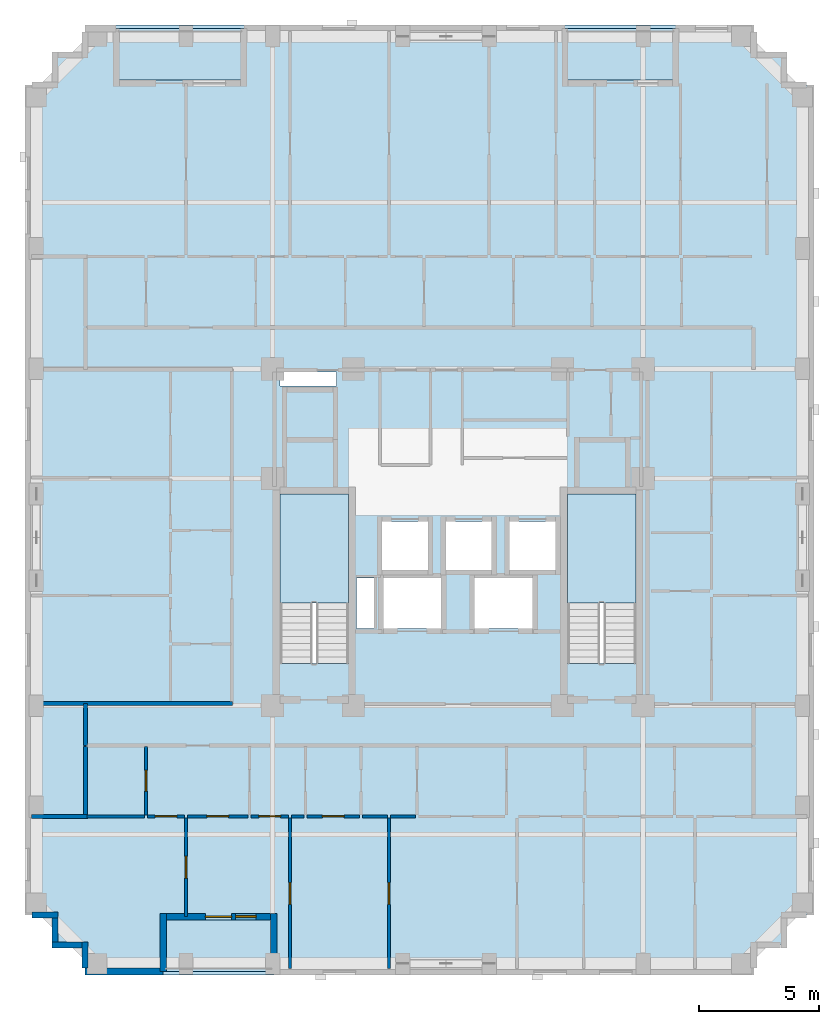
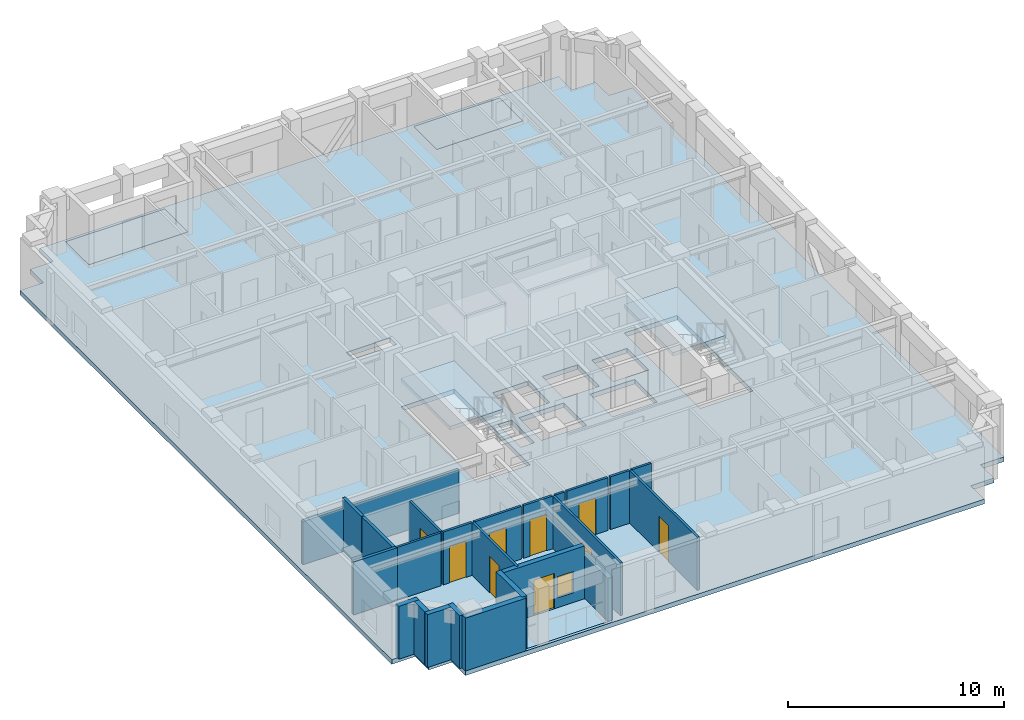
# One storey, part 2 of 11: 24 walls, 9 doors, 6 slabs, 1 window, 10 openings, 2 elements without a shape of their own.
"""IFC4 building model written with IfcOpenShell, lengths in metres."""

import ifcopenshell
import ifcopenshell.guid

model = None  # the IFC model being written
_history = None  # IfcOwnerHistory: only IFC2X3 demands one
_inside = {}  # id of a spatial element -> (the spatial element, [elements in it])
_under = {}  # id of a project, library or spatial element -> (it, [spatial elements below it])
_declared = {}  # id of a project -> (the project, [libraries it declares])
_typed = {}  # id of a type object -> (the type object, [elements of that type])
_made_of = {}  # id of a material, layer set ... -> (it, [elements and type objects made of it])


def new_model(schema):
    """Start an empty IFC model of exactly this schema.

    Asked for "IFC4X3", IfcOpenShell would pick the latest addendum, in which some entities
    have other attributes; the version numbers below select the first issue.
    IFC2X3 requires an IfcOwnerHistory on every rooted entity: one is made here for all.
    """
    global model, _history
    if schema == "IFC4X3":
        model = ifcopenshell.file(schema_version=(4, 3, 0, 0))
    else:
        model = ifcopenshell.file(schema=schema)
    _inside.clear()
    _under.clear()
    _declared.clear()
    _typed.clear()
    _made_of.clear()
    _history = None
    if model.schema == "IFC2X3":
        org = make("IfcOrganization", Name="unknown")
        user = make(
            "IfcPersonAndOrganization",
            ThePerson=make("IfcPerson", FamilyName="unknown"),
            TheOrganization=org,
        )
        app = make(
            "IfcApplication",
            ApplicationDeveloper=org,
            Version="unknown",
            ApplicationFullName="unknown",
            ApplicationIdentifier="unknown",
        )
        _history = make(
            "IfcOwnerHistory",
            OwningUser=user,
            OwningApplication=app,
            ChangeAction="ADDED",
            CreationDate=0,
        )
    return model


def make(cls, **values):
    """One entity of the class cls with the attributes given. An attribute that is None is left unset."""
    return model.create_entity(
        cls, **{name: value for name, value in values.items() if value is not None}
    )


def rooted(cls, **values):
    """An entity with a GlobalId (a new one), such as an element, a storey or a relation."""
    return make(cls, GlobalId=ifcopenshell.guid.new(), OwnerHistory=_history, **values)


def si_unit(unit_type, name, prefix=None):
    """IfcSIUnit, for example si_unit("LENGTHUNIT", "METRE", prefix="MILLI")."""
    return make("IfcSIUnit", UnitType=unit_type, Prefix=prefix, Name=name)


def derived_unit(unit_type, elements):
    """IfcDerivedUnit: a product of units, each with its exponent."""
    return make(
        "IfcDerivedUnit",
        Elements=[
            make("IfcDerivedUnitElement", Unit=unit, Exponent=power)
            for unit, power in elements
        ],
        UnitType=unit_type,
    )


def assignment(units):
    """IfcUnitAssignment: the units of a project."""
    return None if units is None else make("IfcUnitAssignment", Units=units)


def point(xyz):
    """IfcCartesianPoint."""
    return None if xyz is None else make("IfcCartesianPoint", Coordinates=xyz)


def direction(xyz):
    """IfcDirection."""
    return None if xyz is None else make("IfcDirection", DirectionRatios=xyz)


def frame(location, z_axis=None, x_axis=None):
    """IfcAxis2Placement3D, a coordinate frame: its origin and axes. An axis left out is left unset."""
    return make(
        "IfcAxis2Placement3D",
        Location=point(location),
        Axis=direction(z_axis),
        RefDirection=direction(x_axis),
    )


def frame_2d(location, x_axis=None):
    """IfcAxis2Placement2D, a coordinate frame in the plane: its origin and x axis."""
    return make(
        "IfcAxis2Placement2D", Location=point(location), RefDirection=direction(x_axis)
    )


def origin():
    """The frame at (0, 0, 0) with its axes left unset."""
    return frame((0.0, 0.0, 0.0))


def place(relative_to, where):
    """IfcLocalPlacement: puts the frame where relative to a parent placement (None: the world)."""
    return make(
        "IfcLocalPlacement", PlacementRelTo=relative_to, RelativePlacement=where
    )


def context(
    kind, dimensions, precision=None, world=None, true_north=None, identifier=None
):
    """IfcGeometricRepresentationContext, for example the 3D "Model" context."""
    return make(
        "IfcGeometricRepresentationContext",
        ContextIdentifier=identifier,
        ContextType=kind,
        CoordinateSpaceDimension=dimensions,
        Precision=precision,
        WorldCoordinateSystem=world,
        TrueNorth=true_north,
    )


def subcontext(parent, identifier, kind, view, scale=None):
    """IfcGeometricRepresentationSubContext, for example "Body" below "Model"."""
    return make(
        "IfcGeometricRepresentationSubContext",
        ContextIdentifier=identifier,
        ContextType=kind,
        ParentContext=parent,
        TargetScale=scale,
        TargetView=view,
    )


def project(units=None, contexts=None):
    """IfcProject with its units and contexts."""
    return rooted(
        "IfcProject",
        Name="project",
        RepresentationContexts=contexts,
        UnitsInContext=assignment(units),
    )


def spatial(cls, under=None, at=None, **own):
    """A site, building, storey or space (cls), placed at a placement, below another one or the project."""
    s = rooted(cls, ObjectPlacement=at, **own)
    if under is not None:
        _under.setdefault(under.id(), (under, []))[1].append(s)
    return s


def polyline(points):
    """IfcPolyline through the points."""
    return make("IfcPolyline", Points=[point(p) for p in points])


def profile(cls, at=None, kind="AREA", **sizes):
    """A parametric profile (cls). Its sizes go by their IFC names, for example OverallWidth=200.0."""
    return make(cls, ProfileType=kind, Position=at, **sizes)


def rectangle(**sizes):
    """IfcRectangleProfileDef."""
    return profile("IfcRectangleProfileDef", **sizes)


def outline(outer, holes=None, kind="AREA"):
    """IfcArbitraryClosedProfileDef: a profile drawn as a closed curve; with holes, ...WithVoids."""
    if holes is None:
        return make("IfcArbitraryClosedProfileDef", ProfileType=kind, OuterCurve=outer)
    return make(
        "IfcArbitraryProfileDefWithVoids",
        ProfileType=kind,
        OuterCurve=outer,
        InnerCurves=holes,
    )


def extrude(swept, where, along, depth):
    """IfcExtrudedAreaSolid: the profile swept, set in the frame where, extruded along a direction by depth."""
    return make(
        "IfcExtrudedAreaSolid",
        SweptArea=swept,
        Position=where,
        ExtrudedDirection=direction(along),
        Depth=depth,
    )


def shape(context_of_items, identifier, shape_type, items):
    """IfcShapeRepresentation: the items that make up one representation, for example the "Body"."""
    return make(
        "IfcShapeRepresentation",
        ContextOfItems=context_of_items,
        RepresentationIdentifier=identifier,
        RepresentationType=shape_type,
        Items=items,
    )


def material(Name=None, Category=None):
    """IfcMaterial."""
    return make("IfcMaterial", Name=Name, Category=Category)


def layer(
    of_material, thickness, ventilated=None, Name=None, Category=None, Priority=None
):
    """IfcMaterialLayer: one layer of a wall or slab, of a material (None: an air gap)."""
    return make(
        "IfcMaterialLayer",
        Material=of_material,
        LayerThickness=thickness,
        IsVentilated=ventilated,
        Name=Name,
        Category=Category,
        Priority=Priority,
    )


def layer_set(layers, Name=None):
    """IfcMaterialLayerSet."""
    return make("IfcMaterialLayerSet", MaterialLayers=layers, LayerSetName=Name)


def made_of(thing, what):
    """Note that an element or type object is made of a material, layer set ...; save() writes the relation."""
    if what is not None:
        _made_of.setdefault(what.id(), (what, []))[1].append(thing)
    return thing


def type_object(cls, material=None, **own):
    """A type object (cls), such as IfcWallType, which elements share."""
    return made_of(rooted(cls, **own), material)


def element(
    cls,
    number,
    at=None,
    inside=None,
    cuts=None,
    type_object=None,
    material=None,
    context=None,
    identifier="Body",
    shape_type=None,
    held_by="IfcProductDefinitionShape",
    body=None,
    shapes=None,
    **own,
):
    """One element of the class cls, such as IfcWall. Its Tag is "e" and its number.

    at: its placement. inside: the storey or other place that contains it. cuts: it is an
    opening in that element (IfcRelVoidsElement). A single representation is given by context,
    identifier, shape_type and body (its items); several are given by shapes. held_by: the class
    of the entity that holds the representations. save() writes the other relations.
    """
    e = rooted(cls, Tag="e%d" % number, ObjectPlacement=at, **own)
    if body is not None:
        shapes = [shape(context, identifier, shape_type, body)]
    if shapes is not None:
        e.Representation = make(held_by, Representations=shapes)
    if inside is not None:
        _inside.setdefault(inside.id(), (inside, []))[1].append(e)
    if cuts is not None:
        rooted(
            "IfcRelVoidsElement", RelatingBuildingElement=cuts, RelatedOpeningElement=e
        )
    if type_object is not None:
        _typed.setdefault(type_object.id(), (type_object, []))[1].append(e)
    return made_of(e, material)


def fill(opening, filler):
    """IfcRelFillsElement: the door or window that sits in an opening."""
    return rooted(
        "IfcRelFillsElement",
        RelatingOpeningElement=opening,
        RelatedBuildingElement=filler,
    )


def aggregate(whole, parts):
    """IfcRelAggregates: a whole, such as a stair, and the parts it consists of."""
    return rooted("IfcRelAggregates", RelatingObject=whole, RelatedObjects=parts)


def save(model, path):
    """Write the relations noted so far, then the file.

    IfcRelAggregates (storeys below a building ...), IfcRelContainedInSpatialStructure (elements
    in a storey), IfcRelDefinesByType, IfcRelAssociatesMaterial and IfcRelDeclares: one each for
    every whole, place, type object, material and project.
    """
    for whole, parts in _under.values():
        aggregate(whole, parts)
    for where, things in _inside.values():
        rooted(
            "IfcRelContainedInSpatialStructure",
            RelatedElements=things,
            RelatingStructure=where,
        )
    for kind, things in _typed.values():
        rooted("IfcRelDefinesByType", RelatedObjects=things, RelatingType=kind)
    for what, things in _made_of.values():
        rooted("IfcRelAssociatesMaterial", RelatedObjects=things, RelatingMaterial=what)
    for by, libraries in _declared.values():
        rooted("IfcRelDeclares", RelatingContext=by, RelatedDefinitions=libraries)
    model.write(path)


model = new_model("IFC4")

# Units and contexts
model_context = context("Model", 3, precision=1e-05, world=origin(), true_north=direction((0.0, 1.0)))
body_context = subcontext(model_context, "Body", "Model", "MODEL_VIEW")
ifc_project = project(units=[si_unit("LENGTHUNIT", "METRE"), si_unit("AREAUNIT", "SQUARE_METRE"), si_unit("VOLUMEUNIT", "CUBIC_METRE"), si_unit("PLANEANGLEUNIT", "RADIAN"), si_unit("MASSUNIT", "GRAM", prefix="KILO"), derived_unit("THERMALTRANSMITTANCEUNIT", [(si_unit("MASSUNIT", "GRAM", prefix="KILO"), 1), (si_unit("TIMEUNIT", "SECOND"), -3), (si_unit("THERMODYNAMICTEMPERATUREUNIT", "KELVIN"), -1)])], contexts=[model_context])

# Site, building, storey
site_placement = place(None, origin())
site = spatial("IfcSite", under=ifc_project, at=site_placement, CompositionType="ELEMENT")
building_placement = place(site_placement, origin())
building = spatial("IfcBuilding", under=site, at=building_placement, Name="Korrvale Station Residences", CompositionType="ELEMENT")
storey_placement = place(building_placement, frame((0.0, 0.0, 150.39990234375)))
storey = spatial("IfcBuildingStorey", under=building, at=storey_placement, Name="L43", CompositionType="ELEMENT", Elevation=150.39990234375)

# Slabs
ifc_material_1 = material(Name="Concrete C50/60", Category="concrete")
ifc_layer_1 = layer(ifc_material_1, 0.219970703125, Name="Concrete C50/60")
ifc_layer_set_1 = layer_set([ifc_layer_1], Name="Concrete C50/60")
slab_type_1 = type_object("IfcSlabType", Name="SLB-BAL-220", PredefinedType="FLOOR", material=ifc_layer_set_1)
slab_1_placement = place(storey_placement, frame((0.0, 0.0, -0.219970703125)))
element("IfcSlab", 1, at=slab_1_placement, inside=storey, type_object=slab_type_1, Name="L43 Recessed Loggia Balcony Slab BAL-L43-S1", PredefinedType="FLOOR", context=body_context, shape_type="SweptSolid", body=[
    extrude(outline(polyline([(13.25, 3.949951171875), (17.85009765625, 3.949951171875), (17.85009765625, 6.10009765625), (13.25, 6.10009765625), (13.25, 3.949951171875)])), origin(), (0.0, 0.0, 1.0), 0.219970703125),
])
slab_2_placement = place(storey_placement, frame((0.0, 0.0, -0.219970703125)))
element("IfcSlab", 2, at=slab_2_placement, inside=storey, type_object=slab_type_1, Name="L43 Recessed Loggia Balcony Slab BAL-L43-N1", PredefinedType="FLOOR", context=body_context, shape_type="SweptSolid", body=[
    extrude(outline(polyline([(29.949951171875, 41.0), (34.550048828125, 41.0), (34.550048828125, 43.14990234375), (29.949951171875, 43.14990234375), (29.949951171875, 41.0)])), origin(), (0.0, 0.0, 1.0), 0.219970703125),
])
slab_3_placement = place(storey_placement, frame((0.0, 0.0, -0.219970703125)))
element("IfcSlab", 3, at=slab_3_placement, inside=storey, type_object=slab_type_1, Name="L43 Recessed Loggia Balcony Slab BAL-L43-N2", PredefinedType="FLOOR", context=body_context, shape_type="SweptSolid", body=[
    extrude(outline(polyline([(11.300048828125, 41.0), (16.60009765625, 41.0), (16.60009765625, 43.14990234375), (11.300048828125, 43.14990234375), (11.300048828125, 41.0)])), origin(), (0.0, 0.0, 1.0), 0.219970703125),
])
ifc_layer_2 = layer(ifc_material_1, 0.260009765625, Name="Concrete C50/60")
ifc_layer_set_2 = layer_set([ifc_layer_2], Name="Concrete C50/60")
slab_type_2 = type_object("IfcSlabType", Name="SLB-FLR-260", PredefinedType="FLOOR", material=ifc_layer_set_2)
slab_4_placement = place(storey_placement, frame((0.0, 0.0, -0.260009765625)))
element("IfcSlab", 4, at=slab_4_placement, inside=storey, type_object=slab_type_2, Name="L43 Suspended Structural Floor Slab", PredefinedType="FLOOR", context=body_context, shape_type="SweptSolid", body=[
    extrude(outline(polyline([(10.0, 3.800048828125), (37.800048828125, 3.800048828125), (37.800048828125, 5.050048828125), (39.050048828125, 5.050048828125), (39.050048828125, 6.300048828125), (40.300048828125, 6.300048828125), (40.300048828125, 40.800048828125), (39.050048828125, 40.800048828125), (39.050048828125, 42.050048828125), (37.800048828125, 42.050048828125), (37.800048828125, 43.300048828125), (10.0, 43.300048828125), (10.0, 42.050048828125), (8.75, 42.050048828125), (8.75, 40.800048828125), (7.5, 40.800048828125), (7.5, 6.300048828125), (8.75, 6.300048828125), (8.75, 5.050048828125), (10.0, 5.050048828125), (10.0, 3.800048828125)]), holes=[polyline([(20.949951171875, 16.751953125), (20.949951171875, 23.800048828125), (18.10009765625, 23.800048828125), (18.10009765625, 16.751953125), (20.949951171875, 16.751953125)]), polyline([(32.89990234375, 16.751953125), (32.89990234375, 23.800048828125), (30.050048828125, 23.800048828125), (30.050048828125, 16.751953125), (32.89990234375, 16.751953125)]), polyline([(22.35009765625, 20.64990234375), (24.25, 20.64990234375), (24.25, 22.64990234375), (22.35009765625, 22.64990234375), (22.35009765625, 20.64990234375)]), polyline([(25.0, 20.64990234375), (26.89990234375, 20.64990234375), (26.89990234375, 22.64990234375), (25.0, 22.64990234375), (25.0, 20.64990234375)]), polyline([(27.64990234375, 20.64990234375), (29.550048828125, 20.64990234375), (29.550048828125, 22.64990234375), (27.64990234375, 22.64990234375), (27.64990234375, 20.64990234375)]), polyline([(22.39990234375, 18.199951171875), (24.800048828125, 18.199951171875), (24.800048828125, 20.300048828125), (22.39990234375, 20.300048828125), (22.39990234375, 18.199951171875)]), polyline([(26.199951171875, 18.199951171875), (28.60009765625, 18.199951171875), (28.60009765625, 20.300048828125), (26.199951171875, 20.300048828125), (26.199951171875, 18.199951171875)]), polyline([(18.10009765625, 28.280029296875), (20.449951171875, 28.280029296875), (20.449951171875, 28.8798828125), (18.10009765625, 28.8798828125), (18.10009765625, 28.280029296875)]), polyline([(21.280029296875, 18.199951171875), (22.02001953125, 18.199951171875), (22.02001953125, 20.300048828125), (21.280029296875, 20.300048828125), (21.280029296875, 18.199951171875)]), polyline([(13.25, 3.949951171875), (17.85009765625, 3.949951171875), (17.85009765625, 6.10009765625), (13.25, 6.10009765625), (13.25, 3.949951171875)]), polyline([(29.949951171875, 41.0), (34.550048828125, 41.0), (34.550048828125, 43.14990234375), (29.949951171875, 43.14990234375), (29.949951171875, 41.0)]), polyline([(11.300048828125, 41.0), (16.60009765625, 41.0), (16.60009765625, 43.14990234375), (11.300048828125, 43.14990234375), (11.300048828125, 41.0)])]), origin(), (0.0, 0.0, 1.0), 0.260009765625),
])

# Stair, slab
stair_type = type_object("IfcStairType", Name="STR-DL-1350-20R-1625", PredefinedType="HALF_TURN_STAIR", material=ifc_material_1)
stair_1_placement = place(storey_placement, origin())
stair_1 = element("IfcStair", 5, at=stair_1_placement, inside=storey, type_object=stair_type, Name="L43 Exit Stair 1", PredefinedType="HALF_TURN_STAIR")
ifc_layer_3 = layer(ifc_material_1, 0.199951171875, Name="Concrete C50/60")
ifc_layer_set_3 = layer_set([ifc_layer_3], Name="Concrete C50/60")
slab_type_3 = type_object("IfcSlabType", Name="SLB-LND-200", PredefinedType="LANDING", material=ifc_layer_set_3)
slab_5_placement = place(storey_placement, frame((0.0, 0.0, 1.425048828125)))
slab_5 = element("IfcSlab", 6, at=slab_5_placement, type_object=slab_type_3, Name="ST-1 landing 1", PredefinedType="LANDING", context=body_context, shape_type="SweptSolid", body=[
    extrude(outline(polyline([(20.949951171875, 19.27001953125), (20.949951171875, 23.800048828125), (18.10009765625, 23.800048828125), (18.10009765625, 19.27001953125), (20.949951171875, 19.27001953125)])), origin(), (0.0, 0.0, 1.0), 0.199951171875),
])
aggregate(stair_1, [slab_5])

stair_2_placement = place(storey_placement, origin())
stair_2 = element("IfcStair", 7, at=stair_2_placement, inside=storey, type_object=stair_type, Name="L43 Exit Stair 2", PredefinedType="HALF_TURN_STAIR")
slab_6_placement = place(storey_placement, frame((0.0, 0.0, 1.425048828125)))
slab_6 = element("IfcSlab", 8, at=slab_6_placement, type_object=slab_type_3, Name="ST-2 landing 1", PredefinedType="LANDING", context=body_context, shape_type="SweptSolid", body=[
    extrude(outline(polyline([(32.89990234375, 19.27001953125), (32.89990234375, 23.800048828125), (30.050048828125, 23.800048828125), (30.050048828125, 19.27001953125), (32.89990234375, 19.27001953125)])), origin(), (0.0, 0.0, 1.0), 0.199951171875),
])
aggregate(stair_2, [slab_6])

# Wall
ifc_material_2 = material(Name="Precast concrete C45/55", Category="concrete")
ifc_layer_4 = layer(ifc_material_2, 0.260009765625, Name="Precast concrete C45/55")
ifc_layer_set_4 = layer_set([ifc_layer_4], Name="Precast concrete C45/55")
wall_type_1 = type_object("IfcWallType", Name="WAL-EXT-LOG260", PredefinedType="SOLIDWALL", material=ifc_layer_set_4)
wall_1_placement = place(storey_placement, frame((17.85009765625, 3.9599609375, 0.0), z_axis=(0.0, 0.0, 1.0), x_axis=(0.0, 1.0, 0.0)))
element("IfcWall", 9, at=wall_1_placement, inside=storey, type_object=wall_type_1, Name="L43 Recessed Loggia Wall BAL-L43-S1-L", PredefinedType="SOLIDWALL", context=body_context, shape_type="SweptSolid", body=[
    extrude(rectangle(XDim=2.400146484375, YDim=0.260009765625, at=frame_2d((1.2001953125, 0.0))), origin(), (0.0, 0.0, 1.0), 2.442138671875),
])

# Wall, openings, door, window
wall_2_placement = place(storey_placement, frame((17.716064453125, 6.22998046875, 0.0), z_axis=(0.0, 0.0, 1.0), x_axis=(-1.0, 0.0, 0.0)))
wall_2 = element("IfcWall", 10, at=wall_2_placement, inside=storey, type_object=wall_type_1, Name="L43 Recessed Loggia Wall BAL-L43-S1-B", PredefinedType="SOLIDWALL", context=body_context, shape_type="SweptSolid", body=[
    extrude(rectangle(XDim=4.33203125, YDim=0.260009765625, at=frame_2d((2.166015625, 0.0))), origin(), (0.0, 0.0, 1.0), 2.989990234375),
])
opening_1_placement = place(wall_2_placement, frame((1.615966796875, 0.0, 0.0)))
opening_1 = element("IfcOpeningElement", 11, at=opening_1_placement, cuts=wall_2, Name="Opening BD-01", PredefinedType="OPENING", context=body_context, shape_type="SweptSolid", body=[
    extrude(rectangle(XDim=1.10009765625, YDim=2.0, at=frame_2d((0.550048828125, 1.0))), frame((0.0, 0.14013671875, 0.0), z_axis=(0.0, -1.0, 0.0), x_axis=(1.0, 0.0, 0.0)), (0.0, 0.0, 1.0), 0.280029296875),
])
opening_2_placement = place(wall_2_placement, frame((0.60595703125, 0.0, 0.550048828125)))
opening_2 = element("IfcOpeningElement", 12, at=opening_2_placement, cuts=wall_2, Name="Opening W-11", PredefinedType="OPENING", context=body_context, shape_type="SweptSolid", body=[
    extrude(rectangle(XDim=0.85009765625, YDim=1.199951171875, at=frame_2d((0.425048828125, 0.60009765625))), frame((0.0, 0.14013671875, 0.0), z_axis=(0.0, -1.0, 0.0), x_axis=(1.0, 0.0, 0.0)), (0.0, 0.0, 1.0), 0.280029296875),
])
ifc_material_3 = material(Name="Exterior thermally broken aluminium glazed balcony door", Category="aluminium")
door_type_1 = type_object("IfcDoorType", Name="DR-EXT-BAL", OperationType="NOTDEFINED", PredefinedType="DOOR", material=ifc_material_3)
door_1_placement = place(opening_1_placement, origin())
door_1 = element("IfcDoor", 13, at=door_1_placement, inside=storey, type_object=door_type_1, Name="L43 Loggia Balcony Door BAL-L43-S1", OperationType="SINGLE_SWING_RIGHT", OverallHeight=2.0, OverallWidth=1.10009765625, PredefinedType="DOOR", context=body_context, shape_type="SweptSolid", body=[
    extrude(rectangle(XDim=1.10009765625, YDim=2.0, at=frame_2d((0.550048828125, 1.0))), frame((0.0, 0.02490234375, 0.0), z_axis=(0.0, -1.0, 0.0), x_axis=(1.0, 0.0, 0.0)), (0.0, 0.0, 1.0), 0.050048828125),
])
fill(opening_1, door_1)
ifc_material_4 = material(Name="Thermally broken aluminium frame with triple low-e glazing", Category="aluminium")
window_type = type_object("IfcWindowType", Name="WIN-W11", PartitioningType="SINGLE_PANEL", PredefinedType="WINDOW", material=ifc_material_4)
window_placement = place(opening_2_placement, origin())
window = element("IfcWindow", 14, at=window_placement, inside=storey, type_object=window_type, Name="L43 Punched Window 02", OverallHeight=1.199951171875, OverallWidth=0.85009765625, PartitioningType="SINGLE_PANEL", PredefinedType="WINDOW", context=body_context, shape_type="SweptSolid", body=[
    extrude(rectangle(XDim=0.85009765625, YDim=1.199951171875, at=frame_2d((0.425048828125, 0.60009765625))), frame((0.0, 0.030029296875, 0.0), z_axis=(0.0, -1.0, 0.0), x_axis=(1.0, 0.0, 0.0)), (0.0, 0.0, 1.0), 0.06005859375),
])
fill(opening_2, window)

# Walls
wall_3_placement = place(storey_placement, frame((13.25, 6.360107421875, 0.0), z_axis=(0.0, 0.0, 1.0), x_axis=(0.0, -1.0, 0.0)))
element("IfcWall", 15, at=wall_3_placement, inside=storey, type_object=wall_type_1, Name="L43 Recessed Loggia Wall BAL-L43-S1-R", PredefinedType="SOLIDWALL", context=body_context, shape_type="SweptSolid", body=[
    extrude(rectangle(XDim=2.400146484375, YDim=0.260009765625, at=frame_2d((1.2001953125, 0.0))), origin(), (0.0, 0.0, 1.0), 2.989990234375),
])
wall_4_placement = place(storey_placement, frame((10.0, 4.10205078125, 0.0), z_axis=(0.0, 0.0, 1.0), x_axis=(0.0, 1.0, 0.0)))
element("IfcWall", 16, at=wall_4_placement, inside=storey, type_object=wall_type_1, Name="L43 Serrated Corner Precast Step SW-1", PredefinedType="SOLIDWALL", context=body_context, shape_type="SweptSolid", body=[
    extrude(rectangle(XDim=1.077880859375, YDim=0.260009765625, at=frame_2d((0.5390625, 0.0))), origin(), (0.0, 0.0, 1.0), 2.989990234375),
])
wall_5_placement = place(storey_placement, frame((9.867919921875, 5.050048828125, 0.0), z_axis=(0.0, 0.0, 1.0), x_axis=(-1.0, 0.0, 0.0)))
element("IfcWall", 17, at=wall_5_placement, inside=storey, type_object=wall_type_1, Name="L43 Serrated Corner Precast Step SW-2", PredefinedType="SOLIDWALL", context=body_context, shape_type="SweptSolid", body=[
    extrude(rectangle(XDim=1.247802734375, YDim=0.260009765625, at=frame_2d((0.6240234375, 0.0))), origin(), (0.0, 0.0, 1.0), 2.989990234375),
])
wall_6_placement = place(storey_placement, frame((8.75, 5.181884765625, 0.0), z_axis=(0.0, 0.0, 1.0), x_axis=(0.0, 1.0, 0.0)))
element("IfcWall", 18, at=wall_6_placement, inside=storey, type_object=wall_type_1, Name="L43 Serrated Corner Precast Step SW-3", PredefinedType="SOLIDWALL", context=body_context, shape_type="SweptSolid", body=[
    extrude(rectangle(XDim=0.986083984375, YDim=0.260009765625, at=frame_2d((0.4931640625, 0.0))), origin(), (0.0, 0.0, 1.0), 2.989990234375),
])
wall_7_placement = place(storey_placement, frame((8.8798828125, 6.300048828125, 0.0), z_axis=(0.0, 0.0, 1.0), x_axis=(-1.0, 0.0, 0.0)))
element("IfcWall", 19, at=wall_7_placement, inside=storey, type_object=wall_type_1, Name="L43 Serrated Corner Precast Step SW-4", PredefinedType="SOLIDWALL", context=body_context, shape_type="SweptSolid", body=[
    extrude(rectangle(XDim=1.077880859375, YDim=0.260009765625, at=frame_2d((0.5390625, 0.0))), origin(), (0.0, 0.0, 1.0), 2.989990234375),
])
ifc_layer_5 = layer(ifc_material_2, 0.300048828125, Name="Precast concrete C45/55")
ifc_layer_set_5 = layer_set([ifc_layer_5], Name="Precast concrete C45/55")
wall_type_2 = type_object("IfcWallType", Name="WAL-EXT-PC300", PredefinedType="SOLIDWALL", material=ifc_layer_set_5)
wall_8_placement = place(storey_placement, frame((13.25, 3.949951171875, 0.0), z_axis=(0.0, 0.0, 1.0), x_axis=(-1.0, 0.0, 0.0)))
element("IfcWall", 20, at=wall_8_placement, inside=storey, type_object=wall_type_2, Name="L43 South Exterior Precast Wall 2", PredefinedType="SOLIDWALL", context=body_context, shape_type="SweptSolid", body=[
    extrude(rectangle(XDim=3.25, YDim=0.300048828125, at=frame_2d((1.625, 0.0))), origin(), (0.0, 0.0, 1.0), 2.989990234375),
])

# Wall, opening, door
ifc_material_5 = material(Name="Acoustic steel-stud gypsum board partition", Category="steel")
ifc_layer_6 = layer(ifc_material_5, 0.1201171875, Name="Acoustic steel-stud gypsum board partition")
ifc_layer_set_6 = layer_set([ifc_layer_6], Name="Acoustic steel-stud gypsum board partition")
wall_type_3 = type_object("IfcWallType", Name="WAL-PART-125", PredefinedType="PARTITIONING", material=ifc_layer_set_6)
wall_9_placement = place(storey_placement, frame((12.5400390625, 10.4599609375, 0.0), z_axis=(0.0, 0.0, 1.0), x_axis=(0.0, 1.0, 0.0)))
wall_9 = element("IfcWall", 21, at=wall_9_placement, inside=storey, type_object=wall_type_3, Name="L43 Suite Partition U01-V01", PredefinedType="PARTITIONING", context=body_context, shape_type="SweptSolid", body=[
    extrude(rectangle(XDim=2.85009765625, YDim=0.1201171875, at=frame_2d((1.425048828125, 0.0))), origin(), (0.0, 0.0, 1.0), 2.989990234375),
])
opening_3_placement = place(wall_9_placement, frame((0.9951171875, 0.0, 0.0)))
opening_3 = element("IfcOpeningElement", 22, at=opening_3_placement, cuts=wall_9, Name="Opening DB-860", PredefinedType="OPENING", context=body_context, shape_type="SweptSolid", body=[
    extrude(rectangle(XDim=0.860107421875, YDim=2.050048828125, at=frame_2d((0.43017578125, 1.02490234375))), frame((0.0, 0.070068359375, 0.0), z_axis=(0.0, -1.0, 0.0), x_axis=(1.0, 0.0, 0.0)), (0.0, 0.0, 1.0), 0.14013671875),
])
ifc_material_6 = material(Name="Moisture-resistant solid-core bathroom door", Category="timber")
door_type_2 = type_object("IfcDoorType", Name="DR-BATH-860", OperationType="NOTDEFINED", PredefinedType="DOOR", material=ifc_material_6)
door_2_placement = place(opening_3_placement, origin())
door_2 = element("IfcDoor", 23, at=door_2_placement, inside=storey, type_object=door_type_2, Name="L43 Apartment 2BR L43-U01 Bathroom Door", OperationType="SINGLE_SWING_RIGHT", OverallHeight=2.050048828125, OverallWidth=0.860107421875, PredefinedType="DOOR", context=body_context, shape_type="SweptSolid", body=[
    extrude(rectangle(XDim=0.860107421875, YDim=2.050048828125, at=frame_2d((0.43017578125, 1.02490234375))), frame((0.0, 0.02490234375, 0.0), z_axis=(0.0, -1.0, 0.0), x_axis=(1.0, 0.0, 0.0)), (0.0, 0.0, 1.0), 0.050048828125),
])
fill(opening_3, door_2)

# Wall
wall_10_placement = place(storey_placement, frame((10.080078125, 10.39990234375, 0.0), z_axis=(0.0, 0.0, 1.0), x_axis=(1.0, 0.0, 0.0)))
element("IfcWall", 24, at=wall_10_placement, inside=storey, type_object=wall_type_3, Name="L43 Suite Partition U01-H09", PredefinedType="PARTITIONING", context=body_context, shape_type="SweptSolid", body=[
    extrude(rectangle(XDim=2.39990234375, YDim=0.1201171875, at=frame_2d((1.199951171875, 0.0))), origin(), (0.0, 0.0, 1.0), 2.989990234375),
])

# Wall, opening, door
wall_11_placement = place(storey_placement, frame((12.60009765625, 10.39990234375, 0.0), z_axis=(0.0, 0.0, 1.0), x_axis=(1.0, 0.0, 0.0)))
wall_11 = element("IfcWall", 25, at=wall_11_placement, inside=storey, type_object=wall_type_3, Name="L43 Suite Partition U01-H19", PredefinedType="PARTITIONING", context=body_context, shape_type="SweptSolid", body=[
    extrude(rectangle(XDim=1.539794921875, YDim=0.1201171875, at=frame_2d((0.77001953125, 0.0))), origin(), (0.0, 0.0, 1.0), 2.989990234375),
])
opening_4_placement = place(wall_11_placement, frame((0.320068359375, 0.0, 0.0)))
opening_4 = element("IfcOpeningElement", 26, at=opening_4_placement, cuts=wall_11, Name="Opening DI-900", PredefinedType="OPENING", context=body_context, shape_type="SweptSolid", body=[
    extrude(rectangle(XDim=0.89990234375, YDim=2.050048828125, at=frame_2d((0.449951171875, 1.02490234375))), frame((0.0, 0.070068359375, 0.0), z_axis=(0.0, -1.0, 0.0), x_axis=(1.0, 0.0, 0.0)), (0.0, 0.0, 1.0), 0.14013671875),
])
ifc_material_7 = material(Name="Painted solid-core timber interior room door", Category="wood")
door_type_3 = type_object("IfcDoorType", Name="DR-INT-900", OperationType="NOTDEFINED", PredefinedType="DOOR", material=ifc_material_7)
door_3_placement = place(opening_4_placement, origin())
door_3 = element("IfcDoor", 27, at=door_3_placement, inside=storey, type_object=door_type_3, Name="L43 Apartment 2BR L43-U01 Kitchen Door", OperationType="SINGLE_SWING_RIGHT", OverallHeight=2.050048828125, OverallWidth=0.89990234375, PredefinedType="DOOR", context=body_context, shape_type="SweptSolid", body=[
    extrude(rectangle(XDim=0.89990234375, YDim=2.050048828125, at=frame_2d((0.449951171875, 1.02490234375))), frame((0.0, 0.02490234375, 0.0), z_axis=(0.0, -1.0, 0.0), x_axis=(1.0, 0.0, 0.0)), (0.0, 0.0, 1.0), 0.050048828125),
])
fill(opening_4, door_3)

wall_12_placement = place(storey_placement, frame((14.260009765625, 10.39990234375, 0.0), z_axis=(0.0, 0.0, 1.0), x_axis=(1.0, 0.0, 0.0)))
wall_12 = element("IfcWall", 28, at=wall_12_placement, inside=storey, type_object=wall_type_3, Name="L43 Suite Partition U01-H110", PredefinedType="PARTITIONING", context=body_context, shape_type="SweptSolid", body=[
    extrude(rectangle(XDim=2.52001953125, YDim=0.1201171875, at=frame_2d((1.260009765625, 0.0))), origin(), (0.0, 0.0, 1.0), 2.989990234375),
])
opening_5_placement = place(wall_12_placement, frame((0.81005859375, 0.0, 0.0)))
opening_5 = element("IfcOpeningElement", 29, at=opening_5_placement, cuts=wall_12, Name="Opening DI-900", PredefinedType="OPENING", context=body_context, shape_type="SweptSolid", body=[
    extrude(rectangle(XDim=0.89990234375, YDim=2.050048828125, at=frame_2d((0.449951171875, 1.02490234375))), frame((0.0, 0.070068359375, 0.0), z_axis=(0.0, -1.0, 0.0), x_axis=(1.0, 0.0, 0.0)), (0.0, 0.0, 1.0), 0.14013671875),
])
door_4_placement = place(opening_5_placement, origin())
door_4 = element("IfcDoor", 30, at=door_4_placement, inside=storey, type_object=door_type_3, Name="L43 Apartment 2BR L43-U01 Kitchen Door", OperationType="SINGLE_SWING_LEFT", OverallHeight=2.050048828125, OverallWidth=0.89990234375, PredefinedType="DOOR", context=body_context, shape_type="SweptSolid", body=[
    extrude(rectangle(XDim=0.89990234375, YDim=2.050048828125, at=frame_2d((0.449951171875, 1.02490234375))), frame((0.0, 0.02490234375, 0.0), z_axis=(0.0, -1.0, 0.0), x_axis=(1.0, 0.0, 0.0)), (0.0, 0.0, 1.0), 0.050048828125),
])
fill(opening_5, door_4)

wall_13_placement = place(storey_placement, frame((16.89990234375, 10.39990234375, 0.0), z_axis=(0.0, 0.0, 1.0), x_axis=(1.0, 0.0, 0.0)))
wall_13 = element("IfcWall", 31, at=wall_13_placement, inside=storey, type_object=wall_type_3, Name="L43 Suite Partition U01-H210", PredefinedType="PARTITIONING", context=body_context, shape_type="SweptSolid", body=[
    extrude(rectangle(XDim=1.56005859375, YDim=0.1201171875, at=frame_2d((0.780029296875, 0.0))), origin(), (0.0, 0.0, 1.0), 2.989990234375),
])
opening_6_placement = place(wall_13_placement, frame((0.330078125, 0.0, 0.0)))
opening_6 = element("IfcOpeningElement", 32, at=opening_6_placement, cuts=wall_13, Name="Opening DI-900", PredefinedType="OPENING", context=body_context, shape_type="SweptSolid", body=[
    extrude(rectangle(XDim=0.89990234375, YDim=2.050048828125, at=frame_2d((0.449951171875, 1.02490234375))), frame((0.0, 0.070068359375, 0.0), z_axis=(0.0, -1.0, 0.0), x_axis=(1.0, 0.0, 0.0)), (0.0, 0.0, 1.0), 0.14013671875),
])
door_5_placement = place(opening_6_placement, origin())
door_5 = element("IfcDoor", 33, at=door_5_placement, inside=storey, type_object=door_type_3, Name="L43 Apartment 2BR L43-U01 Wardrobe Storage Room Door", OperationType="SINGLE_SWING_LEFT", OverallHeight=2.050048828125, OverallWidth=0.89990234375, PredefinedType="DOOR", context=body_context, shape_type="SweptSolid", body=[
    extrude(rectangle(XDim=0.89990234375, YDim=2.050048828125, at=frame_2d((0.449951171875, 1.02490234375))), frame((0.0, 0.02490234375, 0.0), z_axis=(0.0, -1.0, 0.0), x_axis=(1.0, 0.0, 0.0)), (0.0, 0.0, 1.0), 0.050048828125),
])
fill(opening_6, door_5)

# Wall
wall_14_placement = place(storey_placement, frame((18.580078125, 10.39990234375, 0.0), z_axis=(0.0, 0.0, 1.0), x_axis=(1.0, 0.0, 0.0)))
element("IfcWall", 34, at=wall_14_placement, inside=storey, type_object=wall_type_3, Name="L43 Suite Partition U01-H211", PredefinedType="PARTITIONING", context=body_context, shape_type="SweptSolid", body=[
    extrude(rectangle(XDim=0.52001953125, YDim=0.1201171875, at=frame_2d((0.260009765625, 0.0))), origin(), (0.0, 0.0, 1.0), 2.989990234375),
])

# Wall, opening, door
wall_15_placement = place(storey_placement, frame((19.219970703125, 10.39990234375, 0.0), z_axis=(0.0, 0.0, 1.0), x_axis=(1.0, 0.0, 0.0)))
wall_15 = element("IfcWall", 35, at=wall_15_placement, inside=storey, type_object=wall_type_3, Name="L43 Suite Partition U01-H311", PredefinedType="PARTITIONING", context=body_context, shape_type="SweptSolid", body=[
    extrude(rectangle(XDim=2.199951171875, YDim=0.1201171875, at=frame_2d((1.10009765625, 0.0))), origin(), (0.0, 0.0, 1.0), 2.989990234375),
])
opening_7_placement = place(wall_15_placement, frame((0.64990234375, 0.0, 0.0)))
opening_7 = element("IfcOpeningElement", 36, at=opening_7_placement, cuts=wall_15, Name="Opening DI-900", PredefinedType="OPENING", context=body_context, shape_type="SweptSolid", body=[
    extrude(rectangle(XDim=0.89990234375, YDim=2.050048828125, at=frame_2d((0.449951171875, 1.02490234375))), frame((0.0, 0.070068359375, 0.0), z_axis=(0.0, -1.0, 0.0), x_axis=(1.0, 0.0, 0.0)), (0.0, 0.0, 1.0), 0.14013671875),
])
door_6_placement = place(opening_7_placement, origin())
door_6 = element("IfcDoor", 37, at=door_6_placement, inside=storey, type_object=door_type_3, Name="L43 Apartment 2BR L43-U01 Wardrobe Storage Room Door", OperationType="SINGLE_SWING_LEFT", OverallHeight=2.050048828125, OverallWidth=0.89990234375, PredefinedType="DOOR", context=body_context, shape_type="SweptSolid", body=[
    extrude(rectangle(XDim=0.89990234375, YDim=2.050048828125, at=frame_2d((0.449951171875, 1.02490234375))), frame((0.0, 0.02490234375, 0.0), z_axis=(0.0, -1.0, 0.0), x_axis=(1.0, 0.0, 0.0)), (0.0, 0.0, 1.0), 0.050048828125),
])
fill(opening_7, door_6)

# Walls
for number, where, z_axis, x_axis, name in (
    (38, (21.5400390625, 10.39990234375, 0.0), (0.0, 0.0, 1.0), (1.0, 0.0, 0.0), "L43 Suite Partition U01-H411"),
    (39, (22.699951171875, 10.39990234375, 0.0), (0.0, 0.0, 1.0), (1.0, 0.0, 0.0), "L43 Suite Partition U01-H412"),
):
    element("IfcWall", number, at=place(storey_placement, frame(where, z_axis=z_axis, x_axis=x_axis)), inside=storey, type_object=wall_type_3, Name=name, PredefinedType="PARTITIONING", context=body_context, shape_type="SweptSolid", body=[
        extrude(rectangle(XDim=1.0400390625, YDim=0.1201171875, at=frame_2d((0.52001953125, 0.0))), origin(), (0.0, 0.0, 1.0), 2.989990234375),
    ])

# Wall, opening, door
wall_16_placement = place(storey_placement, frame((14.199951171875, 6.22998046875, 0.0), z_axis=(0.0, 0.0, 1.0), x_axis=(0.0, 1.0, 0.0)))
wall_16 = element("IfcWall", 40, at=wall_16_placement, inside=storey, type_object=wall_type_3, Name="L43 Suite Partition U01-V910", PredefinedType="PARTITIONING", context=body_context, shape_type="SweptSolid", body=[
    extrude(rectangle(XDim=4.110107421875, YDim=0.1201171875, at=frame_2d((2.05517578125, 0.0))), origin(), (0.0, 0.0, 1.0), 2.989990234375),
])
opening_8_placement = place(wall_16_placement, frame((1.60498046875, 0.0, 0.0)))
opening_8 = element("IfcOpeningElement", 41, at=opening_8_placement, cuts=wall_16, Name="Opening DI-900", PredefinedType="OPENING", context=body_context, shape_type="SweptSolid", body=[
    extrude(rectangle(XDim=0.89990234375, YDim=2.050048828125, at=frame_2d((0.449951171875, 1.02490234375))), frame((0.0, 0.070068359375, 0.0), z_axis=(0.0, -1.0, 0.0), x_axis=(1.0, 0.0, 0.0)), (0.0, 0.0, 1.0), 0.14013671875),
])
door_7_placement = place(opening_8_placement, origin())
door_7 = element("IfcDoor", 42, at=door_7_placement, inside=storey, type_object=door_type_3, Name="L43 Apartment 2BR L43-U01 Living and Dining Room Door", OperationType="SINGLE_SWING_RIGHT", OverallHeight=2.050048828125, OverallWidth=0.89990234375, PredefinedType="DOOR", context=body_context, shape_type="SweptSolid", body=[
    extrude(rectangle(XDim=0.89990234375, YDim=2.050048828125, at=frame_2d((0.449951171875, 1.02490234375))), frame((0.0, 0.02490234375, 0.0), z_axis=(0.0, -1.0, 0.0), x_axis=(1.0, 0.0, 0.0)), (0.0, 0.0, 1.0), 0.050048828125),
])
fill(opening_8, door_7)

wall_17_placement = place(storey_placement, frame((18.52001953125, 4.080078125, 0.0), z_axis=(0.0, 0.0, 1.0), x_axis=(0.0, 1.0, 0.0)))
wall_17 = element("IfcWall", 43, at=wall_17_placement, inside=storey, type_object=wall_type_3, Name="L43 Suite Partition U01-V1011", PredefinedType="PARTITIONING", context=body_context, shape_type="SweptSolid", body=[
    extrude(rectangle(XDim=6.260009765625, YDim=0.1201171875, at=frame_2d((3.1298828125, 0.0))), origin(), (0.0, 0.0, 1.0), 2.989990234375),
])
opening_9_placement = place(wall_17_placement, frame((2.6650390625, 0.0, 0.0)))
opening_9 = element("IfcOpeningElement", 44, at=opening_9_placement, cuts=wall_17, Name="Opening DI-900", PredefinedType="OPENING", context=body_context, shape_type="SweptSolid", body=[
    extrude(rectangle(XDim=0.89990234375, YDim=2.050048828125, at=frame_2d((0.449951171875, 1.02490234375))), frame((0.0, 0.070068359375, 0.0), z_axis=(0.0, -1.0, 0.0), x_axis=(1.0, 0.0, 0.0)), (0.0, 0.0, 1.0), 0.14013671875),
])
door_8_placement = place(opening_9_placement, origin())
door_8 = element("IfcDoor", 45, at=door_8_placement, inside=storey, type_object=door_type_3, Name="L43 Apartment 2BR L43-U01 Formal Dining Room Door", OperationType="SINGLE_SWING_LEFT", OverallHeight=2.050048828125, OverallWidth=0.89990234375, PredefinedType="DOOR", context=body_context, shape_type="SweptSolid", body=[
    extrude(rectangle(XDim=0.89990234375, YDim=2.050048828125, at=frame_2d((0.449951171875, 1.02490234375))), frame((0.0, 0.02490234375, 0.0), z_axis=(0.0, -1.0, 0.0), x_axis=(1.0, 0.0, 0.0)), (0.0, 0.0, 1.0), 0.050048828125),
])
fill(opening_9, door_8)

wall_18_placement = place(storey_placement, frame((22.639892578125, 4.080078125, 0.0), z_axis=(0.0, 0.0, 1.0), x_axis=(0.0, 1.0, 0.0)))
wall_18 = element("IfcWall", 46, at=wall_18_placement, inside=storey, type_object=wall_type_3, Name="L43 Suite Partition U01-V1112", PredefinedType="PARTITIONING", context=body_context, shape_type="SweptSolid", body=[
    extrude(rectangle(XDim=6.260009765625, YDim=0.1201171875, at=frame_2d((3.1298828125, 0.0))), origin(), (0.0, 0.0, 1.0), 2.989990234375),
])
opening_10_placement = place(wall_18_placement, frame((2.6650390625, 0.0, 0.0)))
opening_10 = element("IfcOpeningElement", 47, at=opening_10_placement, cuts=wall_18, Name="Opening DI-900", PredefinedType="OPENING", context=body_context, shape_type="SweptSolid", body=[
    extrude(rectangle(XDim=0.89990234375, YDim=2.050048828125, at=frame_2d((0.449951171875, 1.02490234375))), frame((0.0, 0.070068359375, 0.0), z_axis=(0.0, -1.0, 0.0), x_axis=(1.0, 0.0, 0.0)), (0.0, 0.0, 1.0), 0.14013671875),
])
door_9_placement = place(opening_10_placement, origin())
door_9 = element("IfcDoor", 48, at=door_9_placement, inside=storey, type_object=door_type_3, Name="L43 Apartment 2BR L43-U01 Home Study Room Door", OperationType="SINGLE_SWING_RIGHT", OverallHeight=2.050048828125, OverallWidth=0.89990234375, PredefinedType="DOOR", context=body_context, shape_type="SweptSolid", body=[
    extrude(rectangle(XDim=0.89990234375, YDim=2.050048828125, at=frame_2d((0.449951171875, 1.02490234375))), frame((0.0, 0.02490234375, 0.0), z_axis=(0.0, -1.0, 0.0), x_axis=(1.0, 0.0, 0.0)), (0.0, 0.0, 1.0), 0.050048828125),
])
fill(opening_10, door_9)

# Walls
ifc_material_8 = material(Name="Fire-rated twin-stud gypsum and mineral wool shaftwall assembly", Category="gypsum")
ifc_layer_7 = layer(ifc_material_8, 0.159912109375, Name="Fire-rated twin-stud gypsum and mineral wool shaftwall assembly")
ifc_layer_set_7 = layer_set([ifc_layer_7], Name="Fire-rated twin-stud gypsum and mineral wool shaftwall assembly")
wall_type_4 = type_object("IfcWallType", Name="WAL-PART-200", PredefinedType="PARTITIONING", material=ifc_layer_set_7)
wall_19_placement = place(storey_placement, frame((10.02001953125, 13.35009765625, 0.0), z_axis=(0.0, 0.0, 1.0), x_axis=(0.0, 1.0, 0.0)))
element("IfcWall", 49, at=wall_19_placement, inside=storey, type_object=wall_type_4, Name="L43 Corridor South West Cap", PredefinedType="PARTITIONING", context=body_context, shape_type="SweptSolid", body=[
    extrude(rectangle(XDim=1.739990234375, YDim=0.159912109375, at=frame_2d((0.8701171875, 0.0))), origin(), (0.0, 0.0, 1.0), 2.989990234375),
])
wall_20_placement = place(storey_placement, frame((7.780029296875, 15.090087890625, 0.0), z_axis=(0.0, 0.0, 1.0), x_axis=(1.0, 0.0, 0.0)))
element("IfcWall", 50, at=wall_20_placement, inside=storey, type_object=wall_type_4, Name="L43 West Wing South Corridor Wall", PredefinedType="PARTITIONING", context=body_context, shape_type="SweptSolid", body=[
    extrude(rectangle(XDim=8.35986328125, YDim=0.159912109375, at=frame_2d((4.179931640625, 0.0))), origin(), (0.0, 0.0, 1.0), 2.442138671875),
])
wall_21_placement = place(storey_placement, frame((7.780029296875, 10.39990234375, 0.0), z_axis=(0.0, 0.0, 1.0), x_axis=(1.0, 0.0, 0.0)))
element("IfcWall", 51, at=wall_21_placement, inside=storey, type_object=wall_type_4, Name="L43 Corner Step Wall U01-L", PredefinedType="PARTITIONING", context=body_context, shape_type="SweptSolid", body=[
    extrude(rectangle(XDim=2.340087890625, YDim=0.159912109375, at=frame_2d((1.169921875, 0.0))), origin(), (0.0, 0.0, 1.0), 2.989990234375),
])
wall_22_placement = place(storey_placement, frame((10.02001953125, 10.39990234375, 0.0), z_axis=(0.0, 0.0, 1.0), x_axis=(0.0, 1.0, 0.0)))
element("IfcWall", 52, at=wall_22_placement, inside=storey, type_object=wall_type_4, Name="L43 Corner Step Cheek U01-L", PredefinedType="PARTITIONING", context=body_context, shape_type="SweptSolid", body=[
    extrude(rectangle(XDim=2.91015625, YDim=0.159912109375, at=frame_2d((1.455078125, 0.0))), origin(), (0.0, 0.0, 1.0), 2.989990234375),
])

save(model, "model.ifc")
